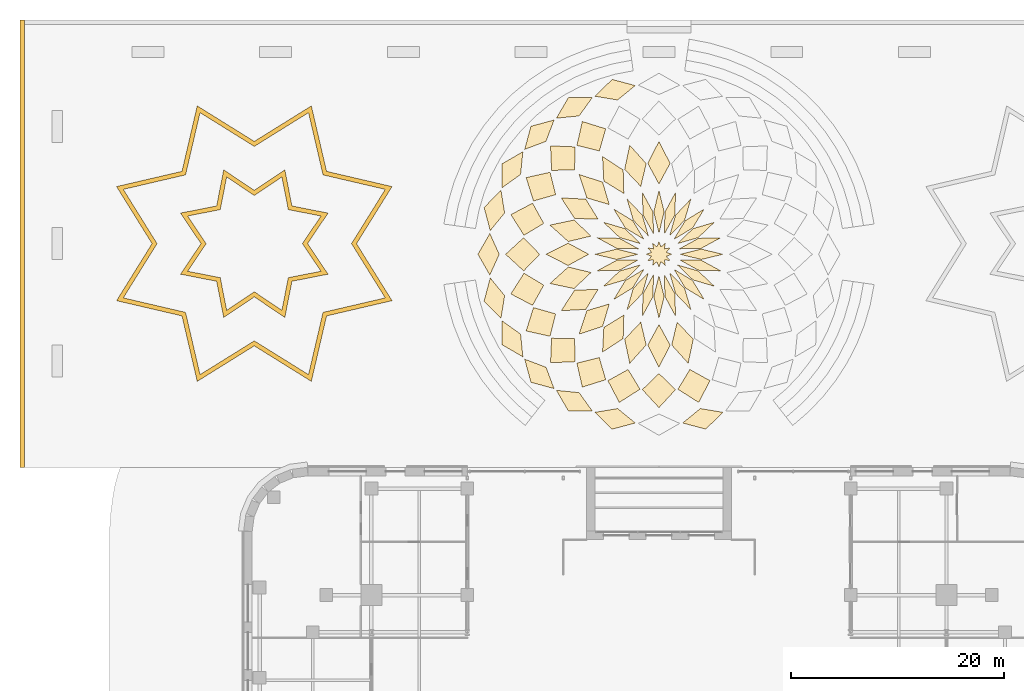
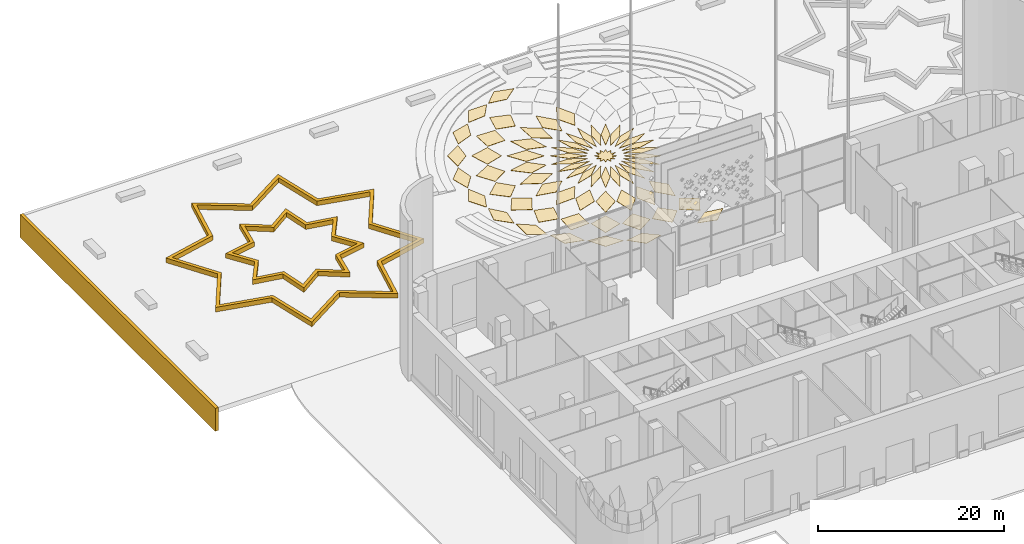
# One storey, part 20 of 23: 66 coverings.
"""IFC4 building model written with IfcOpenShell, lengths in metres."""

from ifc_helpers import new_model, si_unit, direction, frame, origin, place, context, subcontext, project, spatial, polyline, outline, extrude, material, layer, layer_set, type_object, element, save


model = new_model("IFC4")

# Units and contexts
model_context = context("Model", 3, precision=1e-05, world=origin(), true_north=direction((0.0, 1.0)))
body_context = subcontext(model_context, "Body", "Model", "MODEL_VIEW")
ifc_project = project(units=[si_unit("LENGTHUNIT", "METRE"), si_unit("AREAUNIT", "SQUARE_METRE"), si_unit("VOLUMEUNIT", "CUBIC_METRE"), si_unit("PLANEANGLEUNIT", "RADIAN"), si_unit("MASSUNIT", "GRAM", prefix="KILO")], contexts=[model_context])

# Site, building, storey
site_placement = place(None, origin())
site = spatial("IfcSite", under=ifc_project, at=site_placement, CompositionType="ELEMENT")
building_placement = place(site_placement, origin())
building = spatial("IfcBuilding", under=site, at=building_placement, Name="Zellij Exchange Tower", CompositionType="ELEMENT")
storey_placement = place(building_placement, origin())
storey = spatial("IfcBuildingStorey", under=building, at=storey_placement, Name="L00", CompositionType="ELEMENT", Elevation=0.0)

# Coverings
ifc_material_1 = material(Name="Limestone cladding", Category="masonry")
ifc_layer_1 = layer(ifc_material_1, 0.39990234375)
ifc_layer_set_1 = layer_set([ifc_layer_1], Name="Limestone cladding")
covering_type_1 = type_object("IfcCoveringType", Name="ENV-CV13 Plaza stone edge course 400", PredefinedType="CLADDING", material=ifc_layer_set_1)
covering_1_placement = place(storey_placement, frame((0.0, 0.0, -3.0)))
element("IfcCovering", 1, at=covering_1_placement, inside=storey, type_object=covering_type_1, Name="Plaza edge course", PredefinedType="CLADDING", context=body_context, shape_type="SweptSolid", body=[
    extrude(outline(polyline([(-60.0, 20.0), (-59.60009765625, 20.0), (-59.60009765625, 62.0), (-60.0, 62.0), (-60.0, 20.0)])), origin(), (0.0, 0.0, 1.0), 3.0),
])
ifc_layer_2 = layer(ifc_material_1, 0.39990234375)
ifc_layer_set_2 = layer_set([ifc_layer_2], Name="Limestone cladding")
covering_type_2 = type_object("IfcCoveringType", Name="ENV-CV14 Garden bed kerb 400", PredefinedType="CLADDING", material=ifc_layer_set_2)
covering_2_placement = place(storey_placement, origin())
element("IfcCovering", 2, at=covering_2_placement, inside=storey, type_object=covering_type_2, Name="Garden bed kerb", PredefinedType="CLADDING", context=body_context, shape_type="SweptSolid", body=[
    extrude(outline(polyline([(-25.065673828125, 46.357666015625), (-31.2119140625, 47.7880859375), (-32.642333984375, 53.934326171875), (-38.0, 50.60009765625), (-43.357666015625, 53.934326171875), (-44.7880859375, 47.7880859375), (-50.934326171875, 46.357666015625), (-47.60009765625, 41.0), (-50.934326171875, 35.642333984375), (-44.7880859375, 34.2119140625), (-43.357666015625, 28.065673828125), (-38.0, 31.39990234375), (-32.642333984375, 28.065673828125), (-31.2119140625, 34.2119140625), (-25.065673828125, 35.642333984375), (-28.39990234375, 41.0), (-25.065673828125, 46.357666015625)]), holes=[polyline([(-25.700439453125, 46.094482421875), (-28.87109375, 41.0), (-25.700439453125, 35.905517578125), (-31.544921875, 34.544921875), (-32.905517578125, 28.700439453125), (-38.0, 31.87109375), (-43.094482421875, 28.700439453125), (-44.455078125, 34.544921875), (-50.299560546875, 35.905517578125), (-47.12890625, 41.0), (-50.299560546875, 46.094482421875), (-44.455078125, 47.455078125), (-43.094482421875, 53.299560546875), (-38.0, 50.12890625), (-32.905517578125, 53.299560546875), (-31.544921875, 47.455078125), (-25.700439453125, 46.094482421875)])]), origin(), (0.0, 0.0, 1.0), 0.60009765625),
])
covering_3_placement = place(storey_placement, origin())
element("IfcCovering", 3, at=covering_3_placement, inside=storey, type_object=covering_type_2, Name="Garden bed kerb", PredefinedType="CLADDING", context=body_context, shape_type="SweptSolid", body=[
    extrude(outline(polyline([(-31.07080078125, 43.8701171875), (-34.464599609375, 44.535400390625), (-35.1298828125, 47.92919921875), (-38.0, 46.0), (-40.8701171875, 47.92919921875), (-41.535400390625, 44.535400390625), (-44.92919921875, 43.8701171875), (-43.0, 41.0), (-44.92919921875, 38.1298828125), (-41.535400390625, 37.464599609375), (-40.8701171875, 34.07080078125), (-38.0, 36.0), (-35.1298828125, 34.07080078125), (-34.464599609375, 37.464599609375), (-31.07080078125, 38.1298828125), (-33.0, 41.0), (-31.07080078125, 43.8701171875)]), holes=[polyline([(-31.73876953125, 43.593505859375), (-33.48193359375, 41.0), (-31.73876953125, 38.406494140625), (-34.805419921875, 37.805419921875), (-35.406494140625, 34.73876953125), (-38.0, 36.48193359375), (-40.593505859375, 34.73876953125), (-41.194580078125, 37.805419921875), (-44.26123046875, 38.406494140625), (-42.51806640625, 41.0), (-44.26123046875, 43.593505859375), (-41.194580078125, 44.194580078125), (-40.593505859375, 47.26123046875), (-38.0, 45.51806640625), (-35.406494140625, 47.26123046875), (-34.805419921875, 44.194580078125), (-31.73876953125, 43.593505859375)])]), origin(), (0.0, 0.0, 1.0), 0.60009765625),
])
ifc_material_2 = material(Name="Limestone paving", Category="masonry")
ifc_layer_3 = layer(ifc_material_2, 0.030029296875)
ifc_layer_set_3 = layer_set([ifc_layer_3], Name="Limestone paving")
covering_type_3 = type_object("IfcCoveringType", Name="ENV-PV4 Girih inlay 30", PredefinedType="FLOORING", material=ifc_layer_set_3)
covering_4_placement = place(storey_placement, origin())
element("IfcCovering", 4, at=covering_4_placement, inside=storey, type_object=covering_type_3, Name="Plaza inlay", PredefinedType="FLOORING", context=body_context, shape_type="SweptSolid", body=[
    extrude(outline(polyline([(1.199951171875, 40.0), (0.695556640625, 40.186279296875), (1.039306640625, 40.60009765625), (0.509033203125, 40.509033203125), (0.60009765625, 41.039306640625), (0.186279296875, 40.695556640625), (0.0, 41.199951171875), (-0.186279296875, 40.695556640625), (-0.60009765625, 41.039306640625), (-0.509033203125, 40.509033203125), (-1.039306640625, 40.60009765625), (-0.695556640625, 40.186279296875), (-1.199951171875, 40.0), (-0.695556640625, 39.813720703125), (-1.039306640625, 39.39990234375), (-0.509033203125, 39.490966796875), (-0.60009765625, 38.960693359375), (-0.186279296875, 39.304443359375), (0.0, 38.800048828125), (0.186279296875, 39.304443359375), (0.60009765625, 38.960693359375), (0.509033203125, 39.490966796875), (1.039306640625, 39.39990234375), (0.695556640625, 39.813720703125), (1.199951171875, 40.0)])), origin(), (0.0, 0.0, 1.0), 0.030029296875),
])
covering_5_placement = place(storey_placement, origin())
element("IfcCovering", 5, at=covering_5_placement, inside=storey, type_object=covering_type_3, Name="Plaza inlay", PredefinedType="FLOORING", context=body_context, shape_type="SweptSolid", body=[
    extrude(outline(polyline([(2.0, 40.0), (3.97021484375, 40.487548828125), (6.0, 40.0), (3.97021484375, 39.512451171875), (2.0, 40.0)])), origin(), (0.0, 0.0, 1.0), 0.030029296875),
])
covering_6_placement = place(storey_placement, origin())
element("IfcCovering", 6, at=covering_6_placement, inside=storey, type_object=covering_type_3, Name="Plaza inlay", PredefinedType="FLOORING", context=body_context, shape_type="SweptSolid", body=[
    extrude(outline(polyline([(1.931884765625, 40.517578125), (3.708740234375, 41.498291015625), (5.795654296875, 41.552978515625), (3.961181640625, 40.556640625), (1.931884765625, 40.517578125)])), origin(), (0.0, 0.0, 1.0), 0.030029296875),
])
covering_7_placement = place(storey_placement, origin())
element("IfcCovering", 7, at=covering_7_placement, inside=storey, type_object=covering_type_3, Name="Plaza inlay", PredefinedType="FLOORING", context=body_context, shape_type="SweptSolid", body=[
    extrude(outline(polyline([(1.732177734375, 41.0), (3.194580078125, 42.4072265625), (5.1962890625, 43.0), (3.681884765625, 41.56298828125), (1.732177734375, 41.0)])), origin(), (0.0, 0.0, 1.0), 0.030029296875),
])
covering_8_placement = place(storey_placement, origin())
element("IfcCovering", 8, at=covering_8_placement, inside=storey, type_object=covering_type_3, Name="Plaza inlay", PredefinedType="FLOORING", context=body_context, shape_type="SweptSolid", body=[
    extrude(outline(polyline([(1.414306640625, 41.414306640625), (2.462646484375, 43.152099609375), (4.24267578125, 44.24267578125), (3.152099609375, 42.462646484375), (1.414306640625, 41.414306640625)])), origin(), (0.0, 0.0, 1.0), 0.030029296875),
])
covering_9_placement = place(storey_placement, origin())
element("IfcCovering", 9, at=covering_9_placement, inside=storey, type_object=covering_type_3, Name="Plaza inlay", PredefinedType="FLOORING", context=body_context, shape_type="SweptSolid", body=[
    extrude(outline(polyline([(1.0, 41.732177734375), (1.56298828125, 43.681884765625), (3.0, 45.1962890625), (2.4072265625, 43.194580078125), (1.0, 41.732177734375)])), origin(), (0.0, 0.0, 1.0), 0.030029296875),
])
covering_10_placement = place(storey_placement, origin())
element("IfcCovering", 10, at=covering_10_placement, inside=storey, type_object=covering_type_3, Name="Plaza inlay", PredefinedType="FLOORING", context=body_context, shape_type="SweptSolid", body=[
    extrude(outline(polyline([(0.517578125, 41.931884765625), (0.556640625, 43.961181640625), (1.552978515625, 45.795654296875), (1.498291015625, 43.708740234375), (0.517578125, 41.931884765625)])), origin(), (0.0, 0.0, 1.0), 0.030029296875),
])
covering_11_placement = place(storey_placement, origin())
element("IfcCovering", 11, at=covering_11_placement, inside=storey, type_object=covering_type_3, Name="Plaza inlay", PredefinedType="FLOORING", context=body_context, shape_type="SweptSolid", body=[
    extrude(outline(polyline([(0.0, 42.0), (-0.487548828125, 43.97021484375), (0.0, 46.0), (0.487548828125, 43.97021484375), (0.0, 42.0)])), origin(), (0.0, 0.0, 1.0), 0.030029296875),
])
covering_12_placement = place(storey_placement, origin())
element("IfcCovering", 12, at=covering_12_placement, inside=storey, type_object=covering_type_3, Name="Plaza inlay", PredefinedType="FLOORING", context=body_context, shape_type="SweptSolid", body=[
    extrude(outline(polyline([(-0.517578125, 41.931884765625), (-1.498291015625, 43.708740234375), (-1.552978515625, 45.795654296875), (-0.556640625, 43.961181640625), (-0.517578125, 41.931884765625)])), origin(), (0.0, 0.0, 1.0), 0.030029296875),
])
covering_13_placement = place(storey_placement, origin())
element("IfcCovering", 13, at=covering_13_placement, inside=storey, type_object=covering_type_3, Name="Plaza inlay", PredefinedType="FLOORING", context=body_context, shape_type="SweptSolid", body=[
    extrude(outline(polyline([(-1.0, 41.732177734375), (-2.4072265625, 43.194580078125), (-3.0, 45.1962890625), (-1.56298828125, 43.681884765625), (-1.0, 41.732177734375)])), origin(), (0.0, 0.0, 1.0), 0.030029296875),
])
covering_14_placement = place(storey_placement, origin())
element("IfcCovering", 14, at=covering_14_placement, inside=storey, type_object=covering_type_3, Name="Plaza inlay", PredefinedType="FLOORING", context=body_context, shape_type="SweptSolid", body=[
    extrude(outline(polyline([(-1.414306640625, 41.414306640625), (-3.152099609375, 42.462646484375), (-4.24267578125, 44.24267578125), (-2.462646484375, 43.152099609375), (-1.414306640625, 41.414306640625)])), origin(), (0.0, 0.0, 1.0), 0.030029296875),
])
covering_15_placement = place(storey_placement, origin())
element("IfcCovering", 15, at=covering_15_placement, inside=storey, type_object=covering_type_3, Name="Plaza inlay", PredefinedType="FLOORING", context=body_context, shape_type="SweptSolid", body=[
    extrude(outline(polyline([(-1.732177734375, 41.0), (-3.681884765625, 41.56298828125), (-5.1962890625, 43.0), (-3.194580078125, 42.4072265625), (-1.732177734375, 41.0)])), origin(), (0.0, 0.0, 1.0), 0.030029296875),
])
covering_16_placement = place(storey_placement, origin())
element("IfcCovering", 16, at=covering_16_placement, inside=storey, type_object=covering_type_3, Name="Plaza inlay", PredefinedType="FLOORING", context=body_context, shape_type="SweptSolid", body=[
    extrude(outline(polyline([(-1.931884765625, 40.517578125), (-3.961181640625, 40.556640625), (-5.795654296875, 41.552978515625), (-3.708740234375, 41.498291015625), (-1.931884765625, 40.517578125)])), origin(), (0.0, 0.0, 1.0), 0.030029296875),
])
covering_17_placement = place(storey_placement, origin())
element("IfcCovering", 17, at=covering_17_placement, inside=storey, type_object=covering_type_3, Name="Plaza inlay", PredefinedType="FLOORING", context=body_context, shape_type="SweptSolid", body=[
    extrude(outline(polyline([(-2.0, 40.0), (-3.97021484375, 39.512451171875), (-6.0, 40.0), (-3.97021484375, 40.487548828125), (-2.0, 40.0)])), origin(), (0.0, 0.0, 1.0), 0.030029296875),
])
covering_18_placement = place(storey_placement, origin())
element("IfcCovering", 18, at=covering_18_placement, inside=storey, type_object=covering_type_3, Name="Plaza inlay", PredefinedType="FLOORING", context=body_context, shape_type="SweptSolid", body=[
    extrude(outline(polyline([(-1.931884765625, 39.482421875), (-3.708740234375, 38.501708984375), (-5.795654296875, 38.447021484375), (-3.961181640625, 39.443359375), (-1.931884765625, 39.482421875)])), origin(), (0.0, 0.0, 1.0), 0.030029296875),
])
covering_19_placement = place(storey_placement, origin())
element("IfcCovering", 19, at=covering_19_placement, inside=storey, type_object=covering_type_3, Name="Plaza inlay", PredefinedType="FLOORING", context=body_context, shape_type="SweptSolid", body=[
    extrude(outline(polyline([(-1.732177734375, 39.0), (-3.194580078125, 37.5927734375), (-5.1962890625, 37.0), (-3.681884765625, 38.43701171875), (-1.732177734375, 39.0)])), origin(), (0.0, 0.0, 1.0), 0.030029296875),
])
covering_20_placement = place(storey_placement, origin())
element("IfcCovering", 20, at=covering_20_placement, inside=storey, type_object=covering_type_3, Name="Plaza inlay", PredefinedType="FLOORING", context=body_context, shape_type="SweptSolid", body=[
    extrude(outline(polyline([(-1.414306640625, 38.585693359375), (-2.462646484375, 36.847900390625), (-4.24267578125, 35.75732421875), (-3.152099609375, 37.537353515625), (-1.414306640625, 38.585693359375)])), origin(), (0.0, 0.0, 1.0), 0.030029296875),
])
covering_21_placement = place(storey_placement, origin())
element("IfcCovering", 21, at=covering_21_placement, inside=storey, type_object=covering_type_3, Name="Plaza inlay", PredefinedType="FLOORING", context=body_context, shape_type="SweptSolid", body=[
    extrude(outline(polyline([(-1.0, 38.267822265625), (-1.56298828125, 36.318115234375), (-3.0, 34.8037109375), (-2.4072265625, 36.805419921875), (-1.0, 38.267822265625)])), origin(), (0.0, 0.0, 1.0), 0.030029296875),
])
covering_22_placement = place(storey_placement, origin())
element("IfcCovering", 22, at=covering_22_placement, inside=storey, type_object=covering_type_3, Name="Plaza inlay", PredefinedType="FLOORING", context=body_context, shape_type="SweptSolid", body=[
    extrude(outline(polyline([(-0.517578125, 38.068115234375), (-0.556640625, 36.038818359375), (-1.552978515625, 34.204345703125), (-1.498291015625, 36.291259765625), (-0.517578125, 38.068115234375)])), origin(), (0.0, 0.0, 1.0), 0.030029296875),
])
covering_23_placement = place(storey_placement, origin())
element("IfcCovering", 23, at=covering_23_placement, inside=storey, type_object=covering_type_3, Name="Plaza inlay", PredefinedType="FLOORING", context=body_context, shape_type="SweptSolid", body=[
    extrude(outline(polyline([(0.0, 38.0), (0.487548828125, 36.02978515625), (0.0, 34.0), (-0.487548828125, 36.02978515625), (0.0, 38.0)])), origin(), (0.0, 0.0, 1.0), 0.030029296875),
])
covering_24_placement = place(storey_placement, origin())
element("IfcCovering", 24, at=covering_24_placement, inside=storey, type_object=covering_type_3, Name="Plaza inlay", PredefinedType="FLOORING", context=body_context, shape_type="SweptSolid", body=[
    extrude(outline(polyline([(0.517578125, 38.068115234375), (1.498291015625, 36.291259765625), (1.552978515625, 34.204345703125), (0.556640625, 36.038818359375), (0.517578125, 38.068115234375)])), origin(), (0.0, 0.0, 1.0), 0.030029296875),
])
covering_25_placement = place(storey_placement, origin())
element("IfcCovering", 25, at=covering_25_placement, inside=storey, type_object=covering_type_3, Name="Plaza inlay", PredefinedType="FLOORING", context=body_context, shape_type="SweptSolid", body=[
    extrude(outline(polyline([(1.0, 38.267822265625), (2.4072265625, 36.805419921875), (3.0, 34.8037109375), (1.56298828125, 36.318115234375), (1.0, 38.267822265625)])), origin(), (0.0, 0.0, 1.0), 0.030029296875),
])
covering_26_placement = place(storey_placement, origin())
element("IfcCovering", 26, at=covering_26_placement, inside=storey, type_object=covering_type_3, Name="Plaza inlay", PredefinedType="FLOORING", context=body_context, shape_type="SweptSolid", body=[
    extrude(outline(polyline([(1.414306640625, 38.585693359375), (3.152099609375, 37.537353515625), (4.24267578125, 35.75732421875), (2.462646484375, 36.847900390625), (1.414306640625, 38.585693359375)])), origin(), (0.0, 0.0, 1.0), 0.030029296875),
])
covering_27_placement = place(storey_placement, origin())
element("IfcCovering", 27, at=covering_27_placement, inside=storey, type_object=covering_type_3, Name="Plaza inlay", PredefinedType="FLOORING", context=body_context, shape_type="SweptSolid", body=[
    extrude(outline(polyline([(1.732177734375, 39.0), (3.681884765625, 38.43701171875), (5.1962890625, 37.0), (3.194580078125, 37.5927734375), (1.732177734375, 39.0)])), origin(), (0.0, 0.0, 1.0), 0.030029296875),
])
covering_28_placement = place(storey_placement, origin())
element("IfcCovering", 28, at=covering_28_placement, inside=storey, type_object=covering_type_3, Name="Plaza inlay", PredefinedType="FLOORING", context=body_context, shape_type="SweptSolid", body=[
    extrude(outline(polyline([(1.931884765625, 39.482421875), (3.961181640625, 39.443359375), (5.795654296875, 38.447021484375), (3.708740234375, 38.501708984375), (1.931884765625, 39.482421875)])), origin(), (0.0, 0.0, 1.0), 0.030029296875),
])
covering_29_placement = place(storey_placement, origin())
element("IfcCovering", 29, at=covering_29_placement, inside=storey, type_object=covering_type_3, Name="Plaza inlay", PredefinedType="FLOORING", context=body_context, shape_type="SweptSolid", body=[
    extrude(outline(polyline([(0.0, 46.60009765625), (-1.048095703125, 48.535888671875), (0.0, 50.60009765625), (1.048095703125, 48.535888671875), (0.0, 46.60009765625)])), origin(), (0.0, 0.0, 1.0), 0.030029296875),
])
covering_30_placement = place(storey_placement, origin())
element("IfcCovering", 30, at=covering_30_placement, inside=storey, type_object=covering_type_3, Name="Plaza inlay", PredefinedType="FLOORING", context=body_context, shape_type="SweptSolid", body=[
    extrude(outline(polyline([(-1.708251953125, 46.375), (-3.2216796875, 47.973876953125), (-2.743408203125, 50.23876953125), (-1.197021484375, 48.516357421875), (-1.708251953125, 46.375)])), origin(), (0.0, 0.0, 1.0), 0.030029296875),
])
covering_31_placement = place(storey_placement, origin())
element("IfcCovering", 31, at=covering_31_placement, inside=storey, type_object=covering_type_3, Name="Plaza inlay", PredefinedType="FLOORING", context=body_context, shape_type="SweptSolid", body=[
    extrude(outline(polyline([(-3.300048828125, 45.7158203125), (-5.175537109375, 46.868408203125), (-5.300048828125, 49.179931640625), (-3.3603515625, 47.916259765625), (-3.300048828125, 45.7158203125)])), origin(), (0.0, 0.0, 1.0), 0.030029296875),
])
covering_32_placement = place(storey_placement, origin())
element("IfcCovering", 32, at=covering_32_placement, inside=storey, type_object=covering_type_3, Name="Plaza inlay", PredefinedType="FLOORING", context=body_context, shape_type="SweptSolid", body=[
    extrude(outline(polyline([(-4.6669921875, 44.6669921875), (-6.77685546875, 45.294677734375), (-7.495361328125, 47.495361328125), (-5.294677734375, 46.77685546875), (-4.6669921875, 44.6669921875)])), origin(), (0.0, 0.0, 1.0), 0.030029296875),
])
covering_33_placement = place(storey_placement, origin())
element("IfcCovering", 33, at=covering_33_placement, inside=storey, type_object=covering_type_3, Name="Plaza inlay", PredefinedType="FLOORING", context=body_context, shape_type="SweptSolid", body=[
    extrude(outline(polyline([(-5.7158203125, 43.300048828125), (-7.916259765625, 43.3603515625), (-9.179931640625, 45.300048828125), (-6.868408203125, 45.175537109375), (-5.7158203125, 43.300048828125)])), origin(), (0.0, 0.0, 1.0), 0.030029296875),
])
covering_34_placement = place(storey_placement, origin())
element("IfcCovering", 34, at=covering_34_placement, inside=storey, type_object=covering_type_3, Name="Plaza inlay", PredefinedType="FLOORING", context=body_context, shape_type="SweptSolid", body=[
    extrude(outline(polyline([(-6.375, 41.708251953125), (-8.516357421875, 41.197021484375), (-10.23876953125, 42.743408203125), (-7.973876953125, 43.2216796875), (-6.375, 41.708251953125)])), origin(), (0.0, 0.0, 1.0), 0.030029296875),
])
covering_35_placement = place(storey_placement, origin())
element("IfcCovering", 35, at=covering_35_placement, inside=storey, type_object=covering_type_3, Name="Plaza inlay", PredefinedType="FLOORING", context=body_context, shape_type="SweptSolid", body=[
    extrude(outline(polyline([(-6.60009765625, 40.0), (-8.535888671875, 38.951904296875), (-10.60009765625, 40.0), (-8.535888671875, 41.048095703125), (-6.60009765625, 40.0)])), origin(), (0.0, 0.0, 1.0), 0.030029296875),
])
covering_36_placement = place(storey_placement, origin())
element("IfcCovering", 36, at=covering_36_placement, inside=storey, type_object=covering_type_3, Name="Plaza inlay", PredefinedType="FLOORING", context=body_context, shape_type="SweptSolid", body=[
    extrude(outline(polyline([(-6.375, 38.291748046875), (-7.973876953125, 36.7783203125), (-10.23876953125, 37.256591796875), (-8.516357421875, 38.802978515625), (-6.375, 38.291748046875)])), origin(), (0.0, 0.0, 1.0), 0.030029296875),
])
covering_37_placement = place(storey_placement, origin())
element("IfcCovering", 37, at=covering_37_placement, inside=storey, type_object=covering_type_3, Name="Plaza inlay", PredefinedType="FLOORING", context=body_context, shape_type="SweptSolid", body=[
    extrude(outline(polyline([(-5.7158203125, 36.699951171875), (-6.868408203125, 34.824462890625), (-9.179931640625, 34.699951171875), (-7.916259765625, 36.6396484375), (-5.7158203125, 36.699951171875)])), origin(), (0.0, 0.0, 1.0), 0.030029296875),
])
covering_38_placement = place(storey_placement, origin())
element("IfcCovering", 38, at=covering_38_placement, inside=storey, type_object=covering_type_3, Name="Plaza inlay", PredefinedType="FLOORING", context=body_context, shape_type="SweptSolid", body=[
    extrude(outline(polyline([(-4.6669921875, 35.3330078125), (-5.294677734375, 33.22314453125), (-7.495361328125, 32.504638671875), (-6.77685546875, 34.705322265625), (-4.6669921875, 35.3330078125)])), origin(), (0.0, 0.0, 1.0), 0.030029296875),
])
covering_39_placement = place(storey_placement, origin())
element("IfcCovering", 39, at=covering_39_placement, inside=storey, type_object=covering_type_3, Name="Plaza inlay", PredefinedType="FLOORING", context=body_context, shape_type="SweptSolid", body=[
    extrude(outline(polyline([(-3.300048828125, 34.2841796875), (-3.3603515625, 32.083740234375), (-5.300048828125, 30.820068359375), (-5.175537109375, 33.131591796875), (-3.300048828125, 34.2841796875)])), origin(), (0.0, 0.0, 1.0), 0.030029296875),
])
covering_40_placement = place(storey_placement, origin())
element("IfcCovering", 40, at=covering_40_placement, inside=storey, type_object=covering_type_3, Name="Plaza inlay", PredefinedType="FLOORING", context=body_context, shape_type="SweptSolid", body=[
    extrude(outline(polyline([(-1.708251953125, 33.625), (-1.197021484375, 31.483642578125), (-2.743408203125, 29.76123046875), (-3.2216796875, 32.026123046875), (-1.708251953125, 33.625)])), origin(), (0.0, 0.0, 1.0), 0.030029296875),
])
covering_41_placement = place(storey_placement, origin())
element("IfcCovering", 41, at=covering_41_placement, inside=storey, type_object=covering_type_3, Name="Plaza inlay", PredefinedType="FLOORING", context=body_context, shape_type="SweptSolid", body=[
    extrude(outline(polyline([(0.0, 33.39990234375), (1.048095703125, 31.464111328125), (0.0, 29.39990234375), (-1.048095703125, 31.464111328125), (0.0, 33.39990234375)])), origin(), (0.0, 0.0, 1.0), 0.030029296875),
])
covering_42_placement = place(storey_placement, origin())
element("IfcCovering", 42, at=covering_42_placement, inside=storey, type_object=covering_type_3, Name="Plaza inlay", PredefinedType="FLOORING", context=body_context, shape_type="SweptSolid", body=[
    extrude(outline(polyline([(1.708251953125, 33.625), (3.2216796875, 32.026123046875), (2.743408203125, 29.76123046875), (1.197021484375, 31.483642578125), (1.708251953125, 33.625)])), origin(), (0.0, 0.0, 1.0), 0.030029296875),
])
covering_43_placement = place(storey_placement, origin())
element("IfcCovering", 43, at=covering_43_placement, inside=storey, type_object=covering_type_3, Name="Plaza inlay", PredefinedType="FLOORING", context=body_context, shape_type="SweptSolid", body=[
    extrude(outline(polyline([(-5.60009765625, 49.699462890625), (-7.703125, 50.222412109375), (-7.199951171875, 52.470703125), (-5.00146484375, 51.782470703125), (-5.60009765625, 49.699462890625)])), origin(), (0.0, 0.0, 1.0), 0.030029296875),
])
covering_44_placement = place(storey_placement, origin())
element("IfcCovering", 44, at=covering_44_placement, inside=storey, type_object=covering_type_3, Name="Plaza inlay", PredefinedType="FLOORING", context=body_context, shape_type="SweptSolid", body=[
    extrude(outline(polyline([(-7.919677734375, 47.919677734375), (-10.08642578125, 47.880615234375), (-10.182373046875, 50.182373046875), (-7.880615234375, 50.08642578125), (-7.919677734375, 47.919677734375)])), origin(), (0.0, 0.0, 1.0), 0.030029296875),
])
covering_45_placement = place(storey_placement, origin())
element("IfcCovering", 45, at=covering_45_placement, inside=storey, type_object=covering_type_3, Name="Plaza inlay", PredefinedType="FLOORING", context=body_context, shape_type="SweptSolid", body=[
    extrude(outline(polyline([(-9.699462890625, 45.60009765625), (-11.782470703125, 45.00146484375), (-12.470703125, 47.199951171875), (-10.222412109375, 47.703125), (-9.699462890625, 45.60009765625)])), origin(), (0.0, 0.0, 1.0), 0.030029296875),
])
covering_46_placement = place(storey_placement, origin())
element("IfcCovering", 46, at=covering_46_placement, inside=storey, type_object=covering_type_3, Name="Plaza inlay", PredefinedType="FLOORING", context=body_context, shape_type="SweptSolid", body=[
    extrude(outline(polyline([(-10.818359375, 42.898681640625), (-12.67529296875, 41.781494140625), (-13.9091796875, 43.72705078125), (-11.867919921875, 44.794921875), (-10.818359375, 42.898681640625)])), origin(), (0.0, 0.0, 1.0), 0.030029296875),
])
covering_47_placement = place(storey_placement, origin())
element("IfcCovering", 47, at=covering_47_placement, inside=storey, type_object=covering_type_3, Name="Plaza inlay", PredefinedType="FLOORING", context=body_context, shape_type="SweptSolid", body=[
    extrude(outline(polyline([(-11.199951171875, 40.0), (-12.70458984375, 38.440185546875), (-14.39990234375, 40.0), (-12.70458984375, 41.559814453125), (-11.199951171875, 40.0)])), origin(), (0.0, 0.0, 1.0), 0.030029296875),
])
covering_48_placement = place(storey_placement, origin())
element("IfcCovering", 48, at=covering_48_placement, inside=storey, type_object=covering_type_3, Name="Plaza inlay", PredefinedType="FLOORING", context=body_context, shape_type="SweptSolid", body=[
    extrude(outline(polyline([(-10.818359375, 37.101318359375), (-11.867919921875, 35.205078125), (-13.9091796875, 36.27294921875), (-12.67529296875, 38.218505859375), (-10.818359375, 37.101318359375)])), origin(), (0.0, 0.0, 1.0), 0.030029296875),
])
covering_49_placement = place(storey_placement, origin())
element("IfcCovering", 49, at=covering_49_placement, inside=storey, type_object=covering_type_3, Name="Plaza inlay", PredefinedType="FLOORING", context=body_context, shape_type="SweptSolid", body=[
    extrude(outline(polyline([(-9.699462890625, 34.39990234375), (-10.222412109375, 32.296875), (-12.470703125, 32.800048828125), (-11.782470703125, 34.99853515625), (-9.699462890625, 34.39990234375)])), origin(), (0.0, 0.0, 1.0), 0.030029296875),
])
covering_50_placement = place(storey_placement, origin())
element("IfcCovering", 50, at=covering_50_placement, inside=storey, type_object=covering_type_3, Name="Plaza inlay", PredefinedType="FLOORING", context=body_context, shape_type="SweptSolid", body=[
    extrude(outline(polyline([(-7.919677734375, 32.080322265625), (-7.880615234375, 29.91357421875), (-10.182373046875, 29.817626953125), (-10.08642578125, 32.119384765625), (-7.919677734375, 32.080322265625)])), origin(), (0.0, 0.0, 1.0), 0.030029296875),
])
covering_51_placement = place(storey_placement, origin())
element("IfcCovering", 51, at=covering_51_placement, inside=storey, type_object=covering_type_3, Name="Plaza inlay", PredefinedType="FLOORING", context=body_context, shape_type="SweptSolid", body=[
    extrude(outline(polyline([(-5.60009765625, 30.300537109375), (-5.00146484375, 28.217529296875), (-7.199951171875, 27.529296875), (-7.703125, 29.777587890625), (-5.60009765625, 30.300537109375)])), origin(), (0.0, 0.0, 1.0), 0.030029296875),
])
covering_52_placement = place(storey_placement, origin())
element("IfcCovering", 52, at=covering_52_placement, inside=storey, type_object=covering_type_3, Name="Plaza inlay", PredefinedType="FLOORING", context=body_context, shape_type="SweptSolid", body=[
    extrude(outline(polyline([(-2.898681640625, 29.181640625), (-1.781494140625, 27.32470703125), (-3.72705078125, 26.0908203125), (-4.794921875, 28.132080078125), (-2.898681640625, 29.181640625)])), origin(), (0.0, 0.0, 1.0), 0.030029296875),
])
covering_53_placement = place(storey_placement, origin())
element("IfcCovering", 53, at=covering_53_placement, inside=storey, type_object=covering_type_3, Name="Plaza inlay", PredefinedType="FLOORING", context=body_context, shape_type="SweptSolid", body=[
    extrude(outline(polyline([(0.0, 28.800048828125), (1.559814453125, 27.29541015625), (0.0, 25.60009765625), (-1.559814453125, 27.29541015625), (0.0, 28.800048828125)])), origin(), (0.0, 0.0, 1.0), 0.030029296875),
])
covering_54_placement = place(storey_placement, origin())
element("IfcCovering", 54, at=covering_54_placement, inside=storey, type_object=covering_type_3, Name="Plaza inlay", PredefinedType="FLOORING", context=body_context, shape_type="SweptSolid", body=[
    extrude(outline(polyline([(2.898681640625, 29.181640625), (4.794921875, 28.132080078125), (3.72705078125, 26.0908203125), (1.781494140625, 27.32470703125), (2.898681640625, 29.181640625)])), origin(), (0.0, 0.0, 1.0), 0.030029296875),
])
covering_55_placement = place(storey_placement, origin())
element("IfcCovering", 55, at=covering_55_placement, inside=storey, type_object=covering_type_3, Name="Plaza inlay", PredefinedType="FLOORING", context=body_context, shape_type="SweptSolid", body=[
    extrude(outline(polyline([(-3.88232421875, 54.489013671875), (-5.99365234375, 54.8349609375), (-4.39990234375, 56.420654296875), (-2.226806640625, 55.84423828125), (-3.88232421875, 54.489013671875)])), origin(), (0.0, 0.0, 1.0), 0.030029296875),
])
covering_56_placement = place(storey_placement, origin())
element("IfcCovering", 56, at=covering_56_placement, inside=storey, type_object=covering_type_3, Name="Plaza inlay", PredefinedType="FLOORING", context=body_context, shape_type="SweptSolid", body=[
    extrude(outline(polyline([(-7.5, 52.990478515625), (-9.62890625, 52.7783203125), (-8.5, 54.722412109375), (-6.251708984375, 54.72802734375), (-7.5, 52.990478515625)])), origin(), (0.0, 0.0, 1.0), 0.030029296875),
])
covering_57_placement = place(storey_placement, origin())
element("IfcCovering", 57, at=covering_57_placement, inside=storey, type_object=covering_type_3, Name="Plaza inlay", PredefinedType="FLOORING", context=body_context, shape_type="SweptSolid", body=[
    extrude(outline(polyline([(-10.606689453125, 50.606689453125), (-12.608154296875, 49.8505859375), (-12.020751953125, 52.020751953125), (-9.8505859375, 52.608154296875), (-10.606689453125, 50.606689453125)])), origin(), (0.0, 0.0, 1.0), 0.030029296875),
])
covering_58_placement = place(storey_placement, origin())
element("IfcCovering", 58, at=covering_58_placement, inside=storey, type_object=covering_type_3, Name="Plaza inlay", PredefinedType="FLOORING", context=body_context, shape_type="SweptSolid", body=[
    extrude(outline(polyline([(-12.990478515625, 47.5), (-14.72802734375, 46.251708984375), (-14.722412109375, 48.5), (-12.7783203125, 49.62890625), (-12.990478515625, 47.5)])), origin(), (0.0, 0.0, 1.0), 0.030029296875),
])
covering_59_placement = place(storey_placement, origin())
element("IfcCovering", 59, at=covering_59_placement, inside=storey, type_object=covering_type_3, Name="Plaza inlay", PredefinedType="FLOORING", context=body_context, shape_type="SweptSolid", body=[
    extrude(outline(polyline([(-14.489013671875, 43.88232421875), (-15.84423828125, 42.226806640625), (-16.420654296875, 44.39990234375), (-14.8349609375, 45.99365234375), (-14.489013671875, 43.88232421875)])), origin(), (0.0, 0.0, 1.0), 0.030029296875),
])
covering_60_placement = place(storey_placement, origin())
element("IfcCovering", 60, at=covering_60_placement, inside=storey, type_object=covering_type_3, Name="Plaza inlay", PredefinedType="FLOORING", context=body_context, shape_type="SweptSolid", body=[
    extrude(outline(polyline([(-15.0, 40.0), (-15.880615234375, 38.050048828125), (-17.0, 40.0), (-15.880615234375, 41.949951171875), (-15.0, 40.0)])), origin(), (0.0, 0.0, 1.0), 0.030029296875),
])
covering_61_placement = place(storey_placement, origin())
element("IfcCovering", 61, at=covering_61_placement, inside=storey, type_object=covering_type_3, Name="Plaza inlay", PredefinedType="FLOORING", context=body_context, shape_type="SweptSolid", body=[
    extrude(outline(polyline([(-14.489013671875, 36.11767578125), (-14.8349609375, 34.00634765625), (-16.420654296875, 35.60009765625), (-15.84423828125, 37.773193359375), (-14.489013671875, 36.11767578125)])), origin(), (0.0, 0.0, 1.0), 0.030029296875),
])
covering_62_placement = place(storey_placement, origin())
element("IfcCovering", 62, at=covering_62_placement, inside=storey, type_object=covering_type_3, Name="Plaza inlay", PredefinedType="FLOORING", context=body_context, shape_type="SweptSolid", body=[
    extrude(outline(polyline([(-12.990478515625, 32.5), (-12.7783203125, 30.37109375), (-14.722412109375, 31.5), (-14.72802734375, 33.748291015625), (-12.990478515625, 32.5)])), origin(), (0.0, 0.0, 1.0), 0.030029296875),
])
covering_63_placement = place(storey_placement, origin())
element("IfcCovering", 63, at=covering_63_placement, inside=storey, type_object=covering_type_3, Name="Plaza inlay", PredefinedType="FLOORING", context=body_context, shape_type="SweptSolid", body=[
    extrude(outline(polyline([(-10.606689453125, 29.393310546875), (-9.8505859375, 27.391845703125), (-12.020751953125, 27.979248046875), (-12.608154296875, 30.1494140625), (-10.606689453125, 29.393310546875)])), origin(), (0.0, 0.0, 1.0), 0.030029296875),
])
covering_64_placement = place(storey_placement, origin())
element("IfcCovering", 64, at=covering_64_placement, inside=storey, type_object=covering_type_3, Name="Plaza inlay", PredefinedType="FLOORING", context=body_context, shape_type="SweptSolid", body=[
    extrude(outline(polyline([(-7.5, 27.009521484375), (-6.251708984375, 25.27197265625), (-8.5, 25.277587890625), (-9.62890625, 27.2216796875), (-7.5, 27.009521484375)])), origin(), (0.0, 0.0, 1.0), 0.030029296875),
])
covering_65_placement = place(storey_placement, origin())
element("IfcCovering", 65, at=covering_65_placement, inside=storey, type_object=covering_type_3, Name="Plaza inlay", PredefinedType="FLOORING", context=body_context, shape_type="SweptSolid", body=[
    extrude(outline(polyline([(-3.88232421875, 25.510986328125), (-2.226806640625, 24.15576171875), (-4.39990234375, 23.579345703125), (-5.99365234375, 25.1650390625), (-3.88232421875, 25.510986328125)])), origin(), (0.0, 0.0, 1.0), 0.030029296875),
])
covering_66_placement = place(storey_placement, origin())
element("IfcCovering", 66, at=covering_66_placement, inside=storey, type_object=covering_type_3, Name="Plaza inlay", PredefinedType="FLOORING", context=body_context, shape_type="SweptSolid", body=[
    extrude(outline(polyline([(3.88232421875, 25.510986328125), (5.99365234375, 25.1650390625), (4.39990234375, 23.579345703125), (2.226806640625, 24.15576171875), (3.88232421875, 25.510986328125)])), origin(), (0.0, 0.0, 1.0), 0.030029296875),
])

save(model, "model.ifc")
